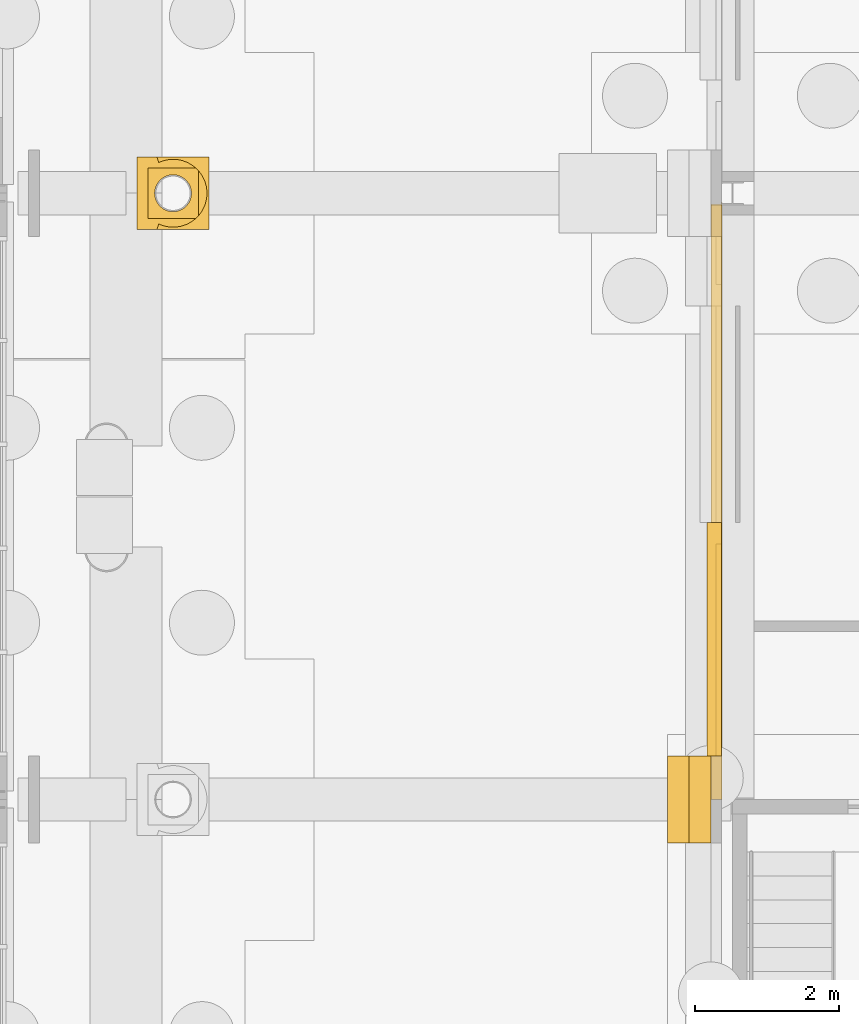
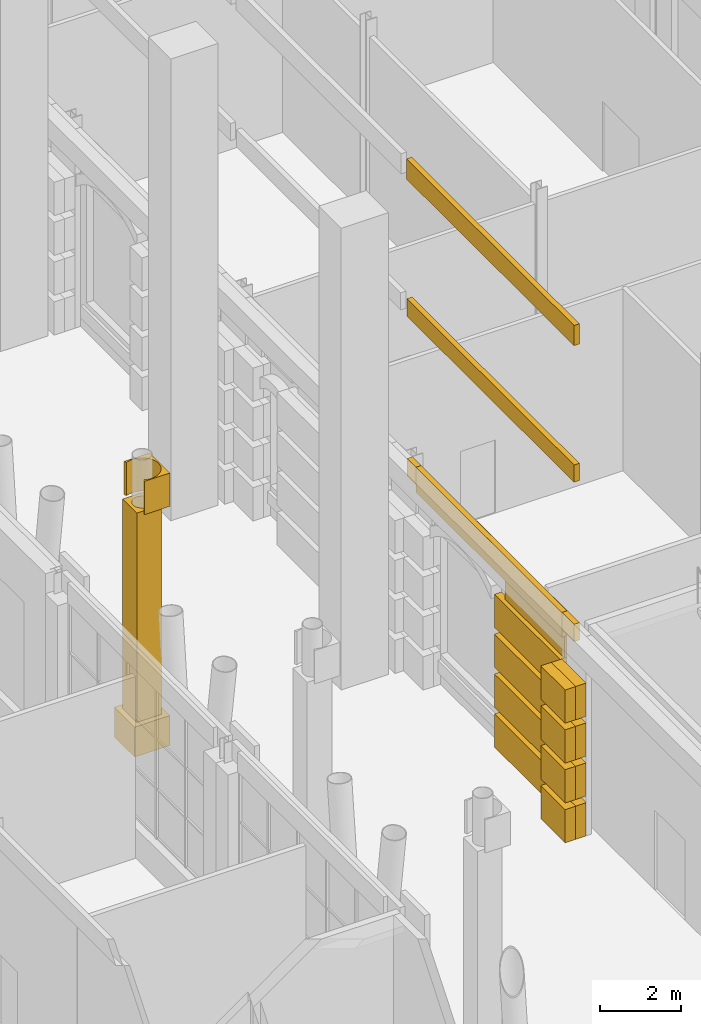
# One storey, part 149 of 222: 20 coverings.
"""IFC4 building model written with IfcOpenShell, lengths in metres."""

from ifc_helpers import new_model, si_unit, direction, frame, origin, origin_2d, place, context, subcontext, project, spatial, polyline, rectangle, outline, extrude, material, layer, layer_set, type_object, element, save


model = new_model("IFC4")

# Units and contexts
model_context = context("Model", 3, precision=1e-05, world=origin(), true_north=direction((0.0, 1.0)))
body_context = subcontext(model_context, "Body", "Model", "MODEL_VIEW")
ifc_project = project(units=[si_unit("LENGTHUNIT", "METRE"), si_unit("AREAUNIT", "SQUARE_METRE"), si_unit("VOLUMEUNIT", "CUBIC_METRE"), si_unit("PLANEANGLEUNIT", "RADIAN"), si_unit("MASSUNIT", "GRAM", prefix="KILO")], contexts=[model_context])

# Site, building, storey
site_placement = place(None, origin())
site = spatial("IfcSite", under=ifc_project, at=site_placement, CompositionType="ELEMENT")
building_placement = place(site_placement, origin())
building = spatial("IfcBuilding", under=site, at=building_placement, Name="Sava Quay Ferry Terminal", CompositionType="ELEMENT")
storey_placement = place(building_placement, origin())
storey = spatial("IfcBuildingStorey", under=building, at=storey_placement, Name="L00", CompositionType="ELEMENT", Elevation=0.0)

# Coverings
ifc_material_1 = material(Name="Limestone Mutalj", Category="masonry")
ifc_layer_1 = layer(ifc_material_1, 0.080078125)
ifc_layer_set_1 = layer_set([ifc_layer_1], Name="Limestone Mutalj")
covering_type_1 = type_object("IfcCoveringType", Name="Light stone cladding 80", PredefinedType="CLADDING", material=ifc_layer_set_1)
covering_1_placement = place(storey_placement, frame((92.2099609375, 69.268798828125, 4.60009765625), z_axis=(0.0, 0.0, 1.0), x_axis=(1.0, 0.0, 0.0)))
element("IfcCovering", 1, at=covering_1_placement, inside=storey, type_object=covering_type_1, Name="Light stone cladding", PredefinedType="CLADDING", context=body_context, shape_type="SweptSolid", body=[
    extrude(rectangle(XDim=0.080078125, YDim=2.9375, at=origin_2d()), origin(), (0.0, 0.0, 1.0), 0.64990234375),
])
ifc_material_2 = material(Name="Limestone Mutalj", Category="masonry")
ifc_layer_2 = layer(ifc_material_2, 0.14990234375)
ifc_layer_set_2 = layer_set([ifc_layer_2], Name="Limestone Mutalj")
covering_type_2 = type_object("IfcCoveringType", Name="Limestone string course 150", PredefinedType="CLADDING", material=ifc_layer_set_2)
covering_2_placement = place(storey_placement, frame((0.0, 0.0, 5.25)))
element("IfcCovering", 2, at=covering_2_placement, inside=storey, type_object=covering_type_2, Name="String course O-W", PredefinedType="CLADDING", context=body_context, shape_type="SweptSolid", body=[
    extrude(outline(polyline([(92.25, 67.800048828125), (92.25, 75.0), (92.10009765625, 75.0), (92.10009765625, 67.800048828125), (92.25, 67.800048828125)])), origin(), (0.0, 0.0, 1.0), 0.75),
])
ifc_material_3 = material(Name="Limestone Mutalj", Category="masonry")
ifc_layer_3 = layer(ifc_material_3, 1.0)
ifc_layer_set_3 = layer_set([ifc_layer_3], Name="Limestone Mutalj")
covering_type_3 = type_object("IfcCoveringType", Name="Post pier capital 1000", PredefinedType="MOLDING", material=ifc_layer_set_3)
covering_3_placement = place(storey_placement, frame((0.0, 0.0, 7.199951171875)))
element("IfcCovering", 3, at=covering_3_placement, inside=storey, type_object=covering_type_3, Name="Post pier capital", PredefinedType="MOLDING", context=body_context, shape_type="SweptSolid", body=[
    extrude(outline(polyline([(85.14990234375, 75.10009765625), (85.14990234375, 76.10009765625), (84.425048828125, 76.10009765625), (84.43505859375, 76.0791015625), (84.451904296875, 76.02587890625), (84.470947265625, 76.034912109375), (84.512939453125, 76.049072265625), (84.55908203125, 76.06103515625), (84.60498046875, 76.068115234375), (84.64892578125, 76.070068359375), (84.695068359375, 76.068115234375), (84.742919921875, 76.06103515625), (84.784912109375, 76.050048828125), (84.8291015625, 76.034912109375), (84.8720703125, 76.013916015625), (84.912109375, 75.989990234375), (84.948974609375, 75.962890625), (84.98193359375, 75.93310546875), (85.012939453125, 75.89892578125), (85.0400390625, 75.862060546875), (85.06494140625, 75.821044921875), (85.0849609375, 75.779052734375), (85.10009765625, 75.735107421875), (85.111083984375, 75.693115234375), (85.117919921875, 75.64501953125), (85.1201171875, 75.59912109375), (85.117919921875, 75.554931640625), (85.111083984375, 75.509033203125), (85.10009765625, 75.465087890625), (85.083984375, 75.4189453125), (85.06396484375, 75.3779296875), (85.0400390625, 75.337890625), (85.012939453125, 75.301025390625), (84.98291015625, 75.26806640625), (84.948974609375, 75.237060546875), (84.912109375, 75.2099609375), (84.8720703125, 75.18603515625), (84.8291015625, 75.1650390625), (84.784912109375, 75.14990234375), (84.742919921875, 75.138916015625), (84.695068359375, 75.132080078125), (84.64892578125, 75.1298828125), (84.60498046875, 75.132080078125), (84.55908203125, 75.138916015625), (84.512939453125, 75.15087890625), (84.470947265625, 75.1650390625), (84.451904296875, 75.174072265625), (84.43505859375, 75.12109375), (84.425048828125, 75.10009765625), (85.14990234375, 75.10009765625)])), origin(), (0.0, 0.0, 1.0), 1.0),
])
ifc_material_4 = material(Name="Limestone Mutalj", Category="masonry")
ifc_layer_4 = layer(ifc_material_4, 1.0)
ifc_layer_set_4 = layer_set([ifc_layer_4], Name="Limestone Mutalj")
covering_type_4 = type_object("IfcCoveringType", Name="Post pier plinth 1000", PredefinedType="MOLDING", material=ifc_layer_set_4)
covering_4_placement = place(storey_placement, origin())
element("IfcCovering", 4, at=covering_4_placement, inside=storey, type_object=covering_type_4, Name="Post pier plinth", PredefinedType="MOLDING", context=body_context, shape_type="SweptSolid", body=[
    extrude(outline(polyline([(84.14990234375, 75.10009765625), (85.14990234375, 75.10009765625), (85.14990234375, 76.10009765625), (84.14990234375, 76.10009765625), (84.14990234375, 75.10009765625)]), holes=[polyline([(84.89990234375, 75.64990234375), (84.905029296875, 75.60009765625), (84.89990234375, 75.550048828125), (84.885986328125, 75.501953125), (84.862060546875, 75.4580078125), (84.830078125, 75.419921875), (84.7919921875, 75.387939453125), (84.748046875, 75.364013671875), (84.699951171875, 75.35009765625), (84.64990234375, 75.344970703125), (84.60009765625, 75.35009765625), (84.552001953125, 75.364013671875), (84.508056640625, 75.387939453125), (84.469970703125, 75.419921875), (84.43798828125, 75.4580078125), (84.4140625, 75.501953125), (84.39990234375, 75.550048828125), (84.39501953125, 75.60009765625), (84.39990234375, 75.64990234375), (84.4140625, 75.697998046875), (84.43798828125, 75.741943359375), (84.469970703125, 75.780029296875), (84.508056640625, 75.81201171875), (84.552001953125, 75.8359375), (84.60009765625, 75.85009765625), (84.64990234375, 75.85498046875), (84.699951171875, 75.85009765625), (84.748046875, 75.8359375), (84.7919921875, 75.81201171875), (84.830078125, 75.780029296875), (84.862060546875, 75.741943359375), (84.885986328125, 75.697998046875), (84.89990234375, 75.64990234375)])]), origin(), (0.0, 0.0, 1.0), 0.89990234375),
])
ifc_material_5 = material(Name="Limestone Mutalj", Category="masonry")
ifc_layer_5 = layer(ifc_material_5, 0.699951171875)
ifc_layer_set_5 = layer_set([ifc_layer_5], Name="Limestone Mutalj")
covering_type_5 = type_object("IfcCoveringType", Name="Post pier shaft 700", PredefinedType="CLADDING", material=ifc_layer_set_5)
covering_5_placement = place(storey_placement, frame((0.0, 0.0, 0.89990234375)))
element("IfcCovering", 5, at=covering_5_placement, inside=storey, type_object=covering_type_5, Name="Post pier shaft", PredefinedType="CLADDING", context=body_context, shape_type="SweptSolid", body=[
    extrude(outline(polyline([(84.300048828125, 75.25), (85.0, 75.25), (85.0, 75.949951171875), (84.300048828125, 75.949951171875), (84.300048828125, 75.25)]), holes=[polyline([(84.89990234375, 75.64990234375), (84.905029296875, 75.60009765625), (84.89990234375, 75.550048828125), (84.885986328125, 75.501953125), (84.862060546875, 75.4580078125), (84.830078125, 75.419921875), (84.7919921875, 75.387939453125), (84.748046875, 75.364013671875), (84.699951171875, 75.35009765625), (84.64990234375, 75.344970703125), (84.60009765625, 75.35009765625), (84.552001953125, 75.364013671875), (84.508056640625, 75.387939453125), (84.469970703125, 75.419921875), (84.43798828125, 75.4580078125), (84.4140625, 75.501953125), (84.39990234375, 75.550048828125), (84.39501953125, 75.60009765625), (84.39990234375, 75.64990234375), (84.4140625, 75.697998046875), (84.43798828125, 75.741943359375), (84.469970703125, 75.780029296875), (84.508056640625, 75.81201171875), (84.552001953125, 75.8359375), (84.60009765625, 75.85009765625), (84.64990234375, 75.85498046875), (84.699951171875, 75.85009765625), (84.748046875, 75.8359375), (84.7919921875, 75.81201171875), (84.830078125, 75.780029296875), (84.862060546875, 75.741943359375), (84.885986328125, 75.697998046875), (84.89990234375, 75.64990234375)])]), origin(), (0.0, 0.0, 1.0), 6.300048828125),
])
ifc_material_6 = material(Name="Limestone Mutalj", Category="masonry")
ifc_layer_6 = layer(ifc_material_6, 0.300048828125)
ifc_layer_set_6 = layer_set([ifc_layer_6], Name="Limestone Mutalj")
covering_type_6 = type_object("IfcCoveringType", Name="Rusticated course deepening 300", PredefinedType="CLADDING", material=ifc_layer_set_6)
for number, where, z_axis, x_axis, name in (
    (6, (91.64990234375, 67.199951171875, 0.0), (0.0, 0.0, 1.0), (1.0, 0.0, 0.0), "Rusticated course deepening"),
    (7, (91.64990234375, 67.199951171875, 1.199951171875), (0.0, 0.0, 1.0), (1.0, 0.0, 0.0), "Rusticated course deepening"),
    (8, (91.64990234375, 67.199951171875, 2.39990234375), (0.0, 0.0, 1.0), (1.0, 0.0, 0.0), "Rusticated course deepening"),
    (9, (91.64990234375, 67.199951171875, 3.60009765625), (0.0, 0.0, 1.0), (1.0, 0.0, 0.0), "Rusticated course deepening"),
):
    element("IfcCovering", number, at=place(storey_placement, frame(where, z_axis=z_axis, x_axis=x_axis)), inside=storey, type_object=covering_type_6, Name=name, PredefinedType="CLADDING", context=body_context, shape_type="SweptSolid", body=[
        extrude(rectangle(XDim=0.300048828125, YDim=1.199951171875, at=origin_2d()), origin(), (0.0, 0.0, 1.0), 1.0),
    ])
ifc_material_7 = material(Name="Limestone Mutalj", Category="masonry")
ifc_layer_7 = layer(ifc_material_7, 0.300048828125)
ifc_layer_set_7 = layer_set([ifc_layer_7], Name="Limestone Mutalj")
covering_type_7 = type_object("IfcCoveringType", Name="Rusticated pier course 300", PredefinedType="CLADDING", material=ifc_layer_set_7)
for number, where, z_axis, x_axis, name in (
    (10, (91.949951171875, 67.199951171875, 0.0), (0.0, 0.0, 1.0), (1.0, 0.0, 0.0), "Rusticated pier course"),
    (11, (91.949951171875, 67.199951171875, 1.199951171875), (0.0, 0.0, 1.0), (1.0, 0.0, 0.0), "Rusticated pier course"),
    (12, (91.949951171875, 67.199951171875, 2.39990234375), (0.0, 0.0, 1.0), (1.0, 0.0, 0.0), "Rusticated pier course"),
    (13, (91.949951171875, 67.199951171875, 3.60009765625), (0.0, 0.0, 1.0), (1.0, 0.0, 0.0), "Rusticated pier course"),
):
    element("IfcCovering", number, at=place(storey_placement, frame(where, z_axis=z_axis, x_axis=x_axis)), inside=storey, type_object=covering_type_7, Name=name, PredefinedType="CLADDING", context=body_context, shape_type="SweptSolid", body=[
        extrude(rectangle(XDim=0.300048828125, YDim=1.199951171875, at=origin_2d()), origin(), (0.0, 0.0, 1.0), 1.0),
    ])
ifc_material_8 = material(Name="Limestone Mutalj", Category="masonry")
ifc_layer_8 = layer(ifc_material_8, 0.199951171875)
ifc_layer_set_8 = layer_set([ifc_layer_8], Name="Limestone Mutalj")
covering_type_8 = type_object("IfcCoveringType", Name="Rusticated wall course 200", PredefinedType="CLADDING", material=ifc_layer_set_8)
for number, where, z_axis, x_axis, name in (
    (14, (92.14990234375, 69.418701171875, 0.0), (0.0, 0.0, 1.0), (1.0, 0.0, 0.0), "Rusticated wall course"),
    (15, (92.14990234375, 69.418701171875, 1.199951171875), (0.0, 0.0, 1.0), (1.0, 0.0, 0.0), "Rusticated wall course"),
    (16, (92.14990234375, 69.418701171875, 2.39990234375), (0.0, 0.0, 1.0), (1.0, 0.0, 0.0), "Rusticated wall course"),
    (17, (92.14990234375, 69.418701171875, 3.60009765625), (0.0, 0.0, 1.0), (1.0, 0.0, 0.0), "Rusticated wall course"),
):
    element("IfcCovering", number, at=place(storey_placement, frame(where, z_axis=z_axis, x_axis=x_axis)), inside=storey, type_object=covering_type_8, Name=name, PredefinedType="CLADDING", context=body_context, shape_type="SweptSolid", body=[
        extrude(rectangle(XDim=0.199951171875, YDim=3.237548828125, at=origin_2d()), origin(), (0.0, 0.0, 1.0), 1.0),
    ])
ifc_material_9 = material(Name="Limestone Mutalj", Category="masonry")
ifc_layer_9 = layer(ifc_material_9, 0.14990234375)
ifc_layer_set_9 = layer_set([ifc_layer_9], Name="Limestone Mutalj")
covering_type_9 = type_object("IfcCoveringType", Name="Slab edge fascia 150", PredefinedType="CLADDING", material=ifc_layer_set_9)
covering_6_placement = place(storey_placement, frame((0.0, 0.0, 5.47998046875)))
element("IfcCovering", 18, at=covering_6_placement, inside=storey, type_object=covering_type_9, Name="Slab edge fascia", PredefinedType="CLADDING", context=body_context, shape_type="SweptSolid", body=[
    extrude(outline(polyline([(92.10205078125, 67.199951171875), (92.251953125, 67.199951171875), (92.251953125, 75.43994140625), (92.10205078125, 75.43994140625), (92.10205078125, 67.199951171875)])), origin(), (0.0, 0.0, 1.0), 0.52001953125),
])
covering_7_placement = place(storey_placement, frame((0.0, 0.0, 10.280029296875)))
element("IfcCovering", 19, at=covering_7_placement, inside=storey, type_object=covering_type_9, Name="Slab edge fascia", PredefinedType="CLADDING", context=body_context, shape_type="SweptSolid", body=[
    extrude(outline(polyline([(92.10205078125, 67.199951171875), (92.251953125, 67.199951171875), (92.251953125, 75.449951171875), (92.10205078125, 75.449951171875), (92.10205078125, 67.199951171875)])), origin(), (0.0, 0.0, 1.0), 0.52001953125),
])
covering_8_placement = place(storey_placement, frame((0.0, 0.0, 14.393310546875)))
element("IfcCovering", 20, at=covering_8_placement, inside=storey, type_object=covering_type_9, Name="Slab edge fascia", PredefinedType="CLADDING", context=body_context, shape_type="SweptSolid", body=[
    extrude(outline(polyline([(92.10205078125, 67.199951171875), (92.251953125, 67.199951171875), (92.251953125, 75.469970703125), (92.10205078125, 75.469970703125), (92.10205078125, 67.199951171875)])), origin(), (0.0, 0.0, 1.0), 0.606689453125),
])

save(model, "model.ifc")
